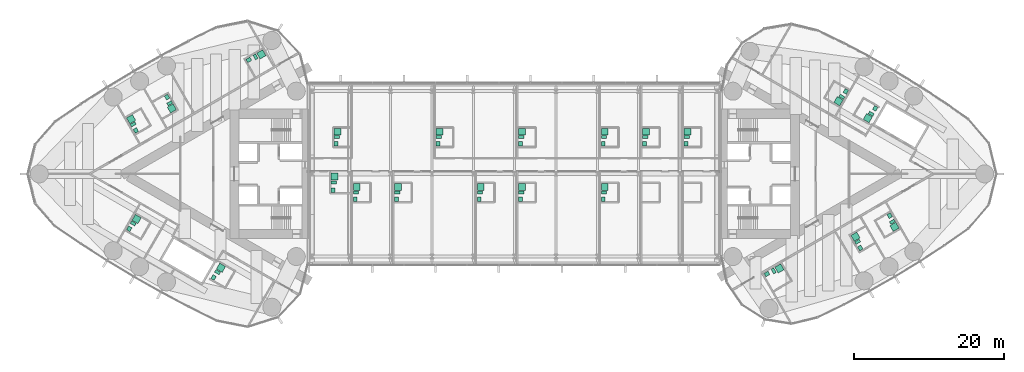
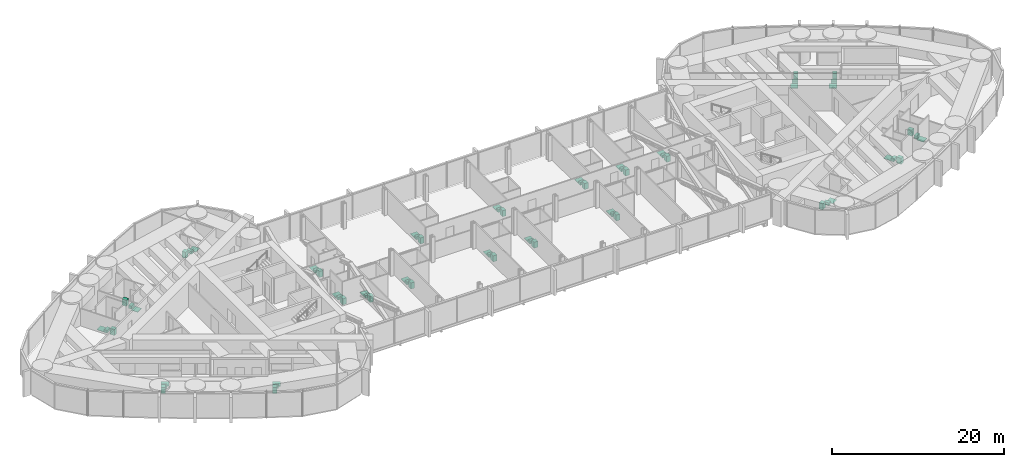
# One storey, part 24 of 24: 28 sanitary terminals.
"""IFC4 building model written with IfcOpenShell, lengths in metres."""

from ifc_helpers import new_model, si_unit, direction, frame, origin, origin_2d, place, context, subcontext, project, spatial, rectangle, extrude, material, type_object, element, save


model = new_model("IFC4")

# Units and contexts
model_context = context("Model", 3, precision=1e-05, world=origin(), true_north=direction((0.0, 1.0)))
body_context = subcontext(model_context, "Body", "Model", "MODEL_VIEW")
ifc_project = project(units=[si_unit("LENGTHUNIT", "METRE"), si_unit("AREAUNIT", "SQUARE_METRE"), si_unit("VOLUMEUNIT", "CUBIC_METRE"), si_unit("PLANEANGLEUNIT", "RADIAN"), si_unit("MASSUNIT", "GRAM", prefix="KILO")], contexts=[model_context])

# Site, building, storey
site_placement = place(None, origin())
site = spatial("IfcSite", under=ifc_project, at=site_placement, CompositionType="ELEMENT")
building_placement = place(site_placement, origin())
building = spatial("IfcBuilding", under=site, at=building_placement, Name="Lancet Gate Hotel", CompositionType="ELEMENT")
storey_placement = place(building_placement, frame((0.0, 0.0, 244.10009765625)))
storey = spatial("IfcBuildingStorey", under=building, at=storey_placement, Name="L65", CompositionType="ELEMENT", Elevation=244.10009765625)

# Sanitary terminals
ifc_material_1 = material(Name="Vitreous china sanitary ware")
sanitary_terminal_type_1 = type_object("IfcSanitaryTerminalType", Name="En-suite sanitary set (shower, WC, basin)", PredefinedType="USERDEFINED", material=ifc_material_1)
sanitary_terminal_1_placement = place(storey_placement, frame((-45.60888671875, 8.717529296875, 0.0), z_axis=(0.0, 0.0, 1.0), x_axis=(1.0, 0.0, 0.0)))
element("IfcSanitaryTerminal", 1, at=sanitary_terminal_1_placement, inside=storey, type_object=sanitary_terminal_type_1, Name="En-suite sanitary set (shower, WC, basin) 6503", ObjectType="EN-SUITE SANITARY SET", PredefinedType="USERDEFINED", context=body_context, shape_type="SweptSolid", body=[
    extrude(rectangle(XDim=0.89990234375, YDim=0.89990234375, at=origin_2d()), frame((0.0, 0.0, 0.0), z_axis=(0.0, 0.0, 1.0), x_axis=(0.5, -0.866025403784, 0.0)), (0.0, 0.0, 1.0), 0.050048828125),
    extrude(rectangle(XDim=0.39990234375, YDim=0.699951171875, at=origin_2d()), frame((-0.2783203125, 0.682373046875, 0.0), z_axis=(0.0, 0.0, 1.0), x_axis=(0.5, -0.866025403784, 0.0)), (0.0, 0.0, 1.0), 0.39990234375),
    extrude(rectangle(XDim=0.60009765625, YDim=0.5, at=origin_2d()), frame((-0.6318359375, 1.494384765625, 0.0), z_axis=(0.0, 0.0, 1.0), x_axis=(0.5, -0.866025403784, 0.0)), (0.0, 0.0, 1.0), 0.85009765625),
])
sanitary_terminal_2_placement = place(storey_placement, frame((-51.022705078125, 7.27783203125, 0.0), z_axis=(0.0, 0.0, 1.0), x_axis=(1.0, 0.0, 0.0)))
element("IfcSanitaryTerminal", 2, at=sanitary_terminal_2_placement, inside=storey, type_object=sanitary_terminal_type_1, Name="En-suite sanitary set (shower, WC, basin) 6504", ObjectType="EN-SUITE SANITARY SET", PredefinedType="USERDEFINED", context=body_context, shape_type="SweptSolid", body=[
    extrude(rectangle(XDim=0.89990234375, YDim=0.89990234375, at=origin_2d()), frame((0.0, 0.0, 0.0), z_axis=(0.0, 0.0, 1.0), x_axis=(-0.5, 0.866025403784, 0.0)), (0.0, 0.0, 1.0), 0.050048828125),
    extrude(rectangle(XDim=0.39990234375, YDim=0.699951171875, at=origin_2d()), frame((0.2783203125, -0.68212890625, 0.0), z_axis=(0.0, 0.0, 1.0), x_axis=(-0.5, 0.866025403784, 0.0)), (0.0, 0.0, 1.0), 0.39990234375),
    extrude(rectangle(XDim=0.60009765625, YDim=0.5, at=origin_2d()), frame((0.631591796875, -1.494384765625, 0.0), z_axis=(0.0, 0.0, 1.0), x_axis=(-0.5, 0.866025403784, 0.0)), (0.0, 0.0, 1.0), 0.85009765625),
])
for number, where, z_axis, x_axis, name in (
    (3, (-50.292724609375, -6.013427734375, 0.0), (0.0, 0.0, 1.0), (1.0, 0.0, 0.0), "En-suite sanitary set (shower, WC, basin) 6507"),
    (4, (-39.07275390625, -12.4912109375, 0.0), (0.0, 0.0, 1.0), (1.0, 0.0, 0.0), "En-suite sanitary set (shower, WC, basin) 6509"),
):
    element("IfcSanitaryTerminal", number, at=place(storey_placement, frame(where, z_axis=z_axis, x_axis=x_axis)), inside=storey, type_object=sanitary_terminal_type_1, Name=name, ObjectType="EN-SUITE SANITARY SET", PredefinedType="USERDEFINED", context=body_context, shape_type="SweptSolid", body=[
        extrude(rectangle(XDim=0.89990234375, YDim=0.89990234375, at=origin_2d()), frame((0.0, 0.0, 0.0), z_axis=(0.0, 0.0, 1.0), x_axis=(0.5, 0.866025403784, 0.0)), (0.0, 0.0, 1.0), 0.050048828125),
        extrude(rectangle(XDim=0.39990234375, YDim=0.699951171875, at=origin_2d()), frame((-0.45166015625, -0.582275390625, 0.0), z_axis=(0.0, 0.0, 1.0), x_axis=(0.5, 0.866025403784, 0.0)), (0.0, 0.0, 1.0), 0.39990234375),
        extrude(rectangle(XDim=0.60009765625, YDim=0.5, at=origin_2d()), frame((-0.978271484375, -1.294189453125, 0.0), z_axis=(0.0, 0.0, 1.0), x_axis=(0.5, 0.866025403784, 0.0)), (0.0, 0.0, 1.0), 0.85009765625),
    ])
sanitary_terminal_3_placement = place(storey_placement, frame((45.358154296875, -8.3623046875, 0.0), z_axis=(0.0, 0.0, 1.0), x_axis=(1.0, 0.0, 0.0)))
element("IfcSanitaryTerminal", 5, at=sanitary_terminal_3_placement, inside=storey, type_object=sanitary_terminal_type_1, Name="En-suite sanitary set (shower, WC, basin) 6553", ObjectType="EN-SUITE SANITARY SET", PredefinedType="USERDEFINED", context=body_context, shape_type="SweptSolid", body=[
    extrude(rectangle(XDim=0.89990234375, YDim=0.89990234375, at=origin_2d()), frame((0.0, 0.0, 0.0), z_axis=(0.0, 0.0, 1.0), x_axis=(-0.5, 0.866025403784, 0.0)), (0.0, 0.0, 1.0), 0.050048828125),
    extrude(rectangle(XDim=0.39990234375, YDim=0.699951171875, at=origin_2d()), frame((0.2783203125, -0.682373046875, 0.0), z_axis=(0.0, 0.0, 1.0), x_axis=(-0.5, 0.866025403784, 0.0)), (0.0, 0.0, 1.0), 0.39990234375),
    extrude(rectangle(XDim=0.60009765625, YDim=0.5, at=origin_2d()), frame((0.6318359375, -1.494384765625, 0.0), z_axis=(0.0, 0.0, 1.0), x_axis=(-0.5, 0.866025403784, 0.0)), (0.0, 0.0, 1.0), 0.85009765625),
])
sanitary_terminal_4_placement = place(storey_placement, frame((50.54150390625, -7.0556640625, 0.0), z_axis=(0.0, 0.0, 1.0), x_axis=(1.0, 0.0, 0.0)))
element("IfcSanitaryTerminal", 6, at=sanitary_terminal_4_placement, inside=storey, type_object=sanitary_terminal_type_1, Name="En-suite sanitary set (shower, WC, basin) 6554", ObjectType="EN-SUITE SANITARY SET", PredefinedType="USERDEFINED", context=body_context, shape_type="SweptSolid", body=[
    extrude(rectangle(XDim=0.89990234375, YDim=0.89990234375, at=origin_2d()), frame((0.0, 0.0, 0.0), z_axis=(0.0, 0.0, 1.0), x_axis=(0.5, -0.866025403784, 0.0)), (0.0, 0.0, 1.0), 0.050048828125),
    extrude(rectangle(XDim=0.39990234375, YDim=0.699951171875, at=origin_2d()), frame((-0.2783203125, 0.682373046875, 0.0), z_axis=(0.0, 0.0, 1.0), x_axis=(0.5, -0.866025403784, 0.0)), (0.0, 0.0, 1.0), 0.39990234375),
    extrude(rectangle(XDim=0.60009765625, YDim=0.5, at=origin_2d()), frame((-0.631591796875, 1.494384765625, 0.0), z_axis=(0.0, 0.0, 1.0), x_axis=(0.5, -0.866025403784, 0.0)), (0.0, 0.0, 1.0), 0.85009765625),
])
sanitary_terminal_5_placement = place(storey_placement, frame((46.996826171875, 7.416259765625, 0.0), z_axis=(0.0, 0.0, 1.0), x_axis=(1.0, 0.0, 0.0)))
element("IfcSanitaryTerminal", 7, at=sanitary_terminal_5_placement, inside=storey, type_object=sanitary_terminal_type_1, Name="En-suite sanitary set (shower, WC, basin) 6558", ObjectType="EN-SUITE SANITARY SET", PredefinedType="USERDEFINED", context=body_context, shape_type="SweptSolid", body=[
    extrude(rectangle(XDim=0.89990234375, YDim=0.89990234375, at=origin_2d()), frame((0.0, 0.0, 0.0), z_axis=(0.0, 0.0, 1.0), x_axis=(-0.5, -0.866025403784, 0.0)), (0.0, 0.0, 1.0), 0.050048828125),
    extrude(rectangle(XDim=0.39990234375, YDim=0.699951171875, at=origin_2d()), frame((0.45166015625, 0.582275390625, 0.0), z_axis=(0.0, 0.0, 1.0), x_axis=(-0.5, -0.866025403784, 0.0)), (0.0, 0.0, 1.0), 0.39990234375),
    extrude(rectangle(XDim=0.60009765625, YDim=0.5, at=origin_2d()), frame((0.978271484375, 1.29443359375, 0.0), z_axis=(0.0, 0.0, 1.0), x_axis=(-0.5, -0.866025403784, 0.0)), (0.0, 0.0, 1.0), 0.85009765625),
])
sanitary_terminal_6_placement = place(storey_placement, frame((43.0859375, 9.67431640625, 0.0), z_axis=(0.0, 0.0, 1.0), x_axis=(1.0, 0.0, 0.0)))
element("IfcSanitaryTerminal", 8, at=sanitary_terminal_6_placement, inside=storey, type_object=sanitary_terminal_type_1, Name="En-suite sanitary set (shower, WC, basin) 6559", ObjectType="EN-SUITE SANITARY SET", PredefinedType="USERDEFINED", context=body_context, shape_type="SweptSolid", body=[
    extrude(rectangle(XDim=0.89990234375, YDim=0.89990234375, at=origin_2d()), frame((0.0, 0.0, 0.0), z_axis=(0.0, 0.0, 1.0), x_axis=(-0.5, -0.866025403784, 0.0)), (0.0, 0.0, 1.0), 0.050048828125),
    extrude(rectangle(XDim=0.39990234375, YDim=0.699951171875, at=origin_2d()), frame((0.45166015625, 0.58203125, 0.0), z_axis=(0.0, 0.0, 1.0), x_axis=(-0.5, -0.866025403784, 0.0)), (0.0, 0.0, 1.0), 0.39990234375),
    extrude(rectangle(XDim=0.60009765625, YDim=0.5, at=origin_2d()), frame((0.978271484375, 1.294189453125, 0.0), z_axis=(0.0, 0.0, 1.0), x_axis=(-0.5, -0.866025403784, 0.0)), (0.0, 0.0, 1.0), 0.85009765625),
])
for number, where, z_axis, x_axis, name in (
    (9, (-21.0048828125, -1.7451171875, 0.0), (0.0, 0.0, 1.0), (1.0, 0.0, 0.0), "En-suite sanitary set (shower, WC, basin) B6502"),
    (10, (-15.5048828125, -1.7451171875, 0.0), (0.0, 0.0, 1.0), (1.0, 0.0, 0.0), "En-suite sanitary set (shower, WC, basin) B6503"),
    (11, (-4.5048828125, -1.7451171875, 0.0), (0.0, 0.0, 1.0), (1.0, 0.0, 0.0), "En-suite sanitary set (shower, WC, basin) B6505"),
    (12, (0.9951171875, -1.7451171875, 0.0), (0.0, 0.0, 1.0), (1.0, 0.0, 0.0), "En-suite sanitary set (shower, WC, basin) B6506"),
    (13, (11.9951171875, -1.7451171875, 0.0), (0.0, 0.0, 1.0), (1.0, 0.0, 0.0), "En-suite sanitary set (shower, WC, basin) B6508"),
):
    element("IfcSanitaryTerminal", number, at=place(storey_placement, frame(where, z_axis=z_axis, x_axis=x_axis)), inside=storey, type_object=sanitary_terminal_type_1, Name=name, ObjectType="EN-SUITE SANITARY SET", PredefinedType="USERDEFINED", context=body_context, shape_type="SweptSolid", body=[
        extrude(rectangle(XDim=0.89990234375, YDim=0.89990234375, at=origin_2d()), frame((0.0, 0.0, 0.0), z_axis=(0.0, 0.0, 1.0), x_axis=(0.0, 1.0, 0.0)), (0.0, 0.0, 1.0), 0.050048828125),
        extrude(rectangle(XDim=0.39990234375, YDim=0.699951171875, at=origin_2d()), frame((-0.10009765625, -0.72998046875, 0.0), z_axis=(0.0, 0.0, 1.0), x_axis=(0.0, 1.0, 0.0)), (0.0, 0.0, 1.0), 0.39990234375),
        extrude(rectangle(XDim=0.60009765625, YDim=0.5, at=origin_2d()), frame((-0.2001953125, -1.60986328125, 0.0), z_axis=(0.0, 0.0, 1.0), x_axis=(0.0, 1.0, 0.0)), (0.0, 0.0, 1.0), 0.85009765625),
    ])
sanitary_terminal_7_placement = place(storey_placement, frame((-23.554931640625, 5.60498046875, 0.0), z_axis=(0.0, 0.0, 1.0), x_axis=(1.0, 0.0, 0.0)))
element("IfcSanitaryTerminal", 14, at=sanitary_terminal_7_placement, inside=storey, type_object=sanitary_terminal_type_1, Name="En-suite sanitary set (shower, WC, basin) B6511", ObjectType="EN-SUITE SANITARY SET", PredefinedType="USERDEFINED", context=body_context, shape_type="SweptSolid", body=[
    extrude(rectangle(XDim=0.89990234375, YDim=0.89990234375, at=origin_2d()), frame((0.0, 0.0, 0.0), z_axis=(0.0, 0.0, 1.0), x_axis=(0.0, 1.0, 0.0)), (0.0, 0.0, 1.0), 0.050048828125),
    extrude(rectangle(XDim=0.39990234375, YDim=0.699951171875, at=origin_2d()), frame((-0.10009765625, -0.72998046875, 0.0), z_axis=(0.0, 0.0, 1.0), x_axis=(0.0, 1.0, 0.0)), (0.0, 0.0, 1.0), 0.39990234375),
    extrude(rectangle(XDim=0.60009765625, YDim=0.5, at=origin_2d()), frame((-0.199951171875, -1.60986328125, 0.0), z_axis=(0.0, 0.0, 1.0), x_axis=(0.0, 1.0, 0.0)), (0.0, 0.0, 1.0), 0.85009765625),
])
for number, where, z_axis, x_axis, name in (
    (15, (-10.0048828125, 5.60498046875, 0.0), (0.0, 0.0, 1.0), (1.0, 0.0, 0.0), "En-suite sanitary set (shower, WC, basin) B6514"),
    (16, (0.9951171875, 5.60498046875, 0.0), (0.0, 0.0, 1.0), (1.0, 0.0, 0.0), "En-suite sanitary set (shower, WC, basin) B6516"),
    (17, (11.9951171875, 5.60498046875, 0.0), (0.0, 0.0, 1.0), (1.0, 0.0, 0.0), "En-suite sanitary set (shower, WC, basin) B6518"),
    (18, (17.4951171875, 5.60498046875, 0.0), (0.0, 0.0, 1.0), (1.0, 0.0, 0.0), "En-suite sanitary set (shower, WC, basin) B6519"),
    (19, (22.9951171875, 5.60498046875, 0.0), (0.0, 0.0, 1.0), (1.0, 0.0, 0.0), "En-suite sanitary set (shower, WC, basin) B6520"),
):
    element("IfcSanitaryTerminal", number, at=place(storey_placement, frame(where, z_axis=z_axis, x_axis=x_axis)), inside=storey, type_object=sanitary_terminal_type_1, Name=name, ObjectType="EN-SUITE SANITARY SET", PredefinedType="USERDEFINED", context=body_context, shape_type="SweptSolid", body=[
        extrude(rectangle(XDim=0.89990234375, YDim=0.89990234375, at=origin_2d()), frame((0.0, 0.0, 0.0), z_axis=(0.0, 0.0, 1.0), x_axis=(0.0, 1.0, 0.0)), (0.0, 0.0, 1.0), 0.050048828125),
        extrude(rectangle(XDim=0.39990234375, YDim=0.699951171875, at=origin_2d()), frame((-0.10009765625, -0.72998046875, 0.0), z_axis=(0.0, 0.0, 1.0), x_axis=(0.0, 1.0, 0.0)), (0.0, 0.0, 1.0), 0.39990234375),
        extrude(rectangle(XDim=0.60009765625, YDim=0.5, at=origin_2d()), frame((-0.2001953125, -1.60986328125, 0.0), z_axis=(0.0, 0.0, 1.0), x_axis=(0.0, 1.0, 0.0)), (0.0, 0.0, 1.0), 0.85009765625),
    ])
ifc_material_2 = material(Name="Stone resin shower tray", Category="masonry")
sanitary_terminal_type_2 = type_object("IfcSanitaryTerminalType", Name="Shower tray 900", PredefinedType="SHOWER", material=ifc_material_2)
for number, where, z_axis, x_axis, name in (
    (20, (-33.6953125, 15.896240234375, 0.0), (0.0, 0.0, 1.0), (0.866025403784, 0.5, 0.0), "Shower tray 900 6502"),
    (21, (35.2412109375, -12.5869140625, 0.0), (0.0, 0.0, 1.0), (0.866025403784, 0.5, 0.0), "Shower tray 900 6552"),
    (22, (-23.955078125, -0.344970703125, 0.0), (0.0, 0.0, 1.0), (0.0, 1.0, 0.0), "Shower tray 900 B6501"),
):
    element("IfcSanitaryTerminal", number, at=place(storey_placement, frame(where, z_axis=z_axis, x_axis=x_axis)), inside=storey, type_object=sanitary_terminal_type_2, Name=name, PredefinedType="SHOWER", context=body_context, shape_type="SweptSolid", body=[
        extrude(rectangle(XDim=0.89990234375, YDim=0.89990234375, at=origin_2d()), origin(), (0.0, 0.0, 1.0), 0.050048828125),
    ])
ifc_material_3 = material(Name="Vitreous china sanitary ware")
sanitary_terminal_type_3 = type_object("IfcSanitaryTerminalType", Name="Vanity basin 600", PredefinedType="WASHHANDBASIN", material=ifc_material_3)
for number, where, z_axis, x_axis, name in (
    (23, (-35.36279296875, 15.164306640625, -0.000244140625), (0.0, 0.0, 1.0), (0.866025403784, 0.5, 0.0), "Vanity basin 600 6502"),
    (24, (33.57373046875, -13.318603515625, -0.000244140625), (0.0, 0.0, 1.0), (0.866025403784, 0.5, 0.0), "Vanity basin 600 6552"),
    (25, (-24.155029296875, -2.155029296875, -0.000244140625), (0.0, 0.0, 1.0), (0.0, 1.0, 0.0), "Vanity basin 600 B6501"),
):
    element("IfcSanitaryTerminal", number, at=place(storey_placement, frame(where, z_axis=z_axis, x_axis=x_axis)), inside=storey, type_object=sanitary_terminal_type_3, Name=name, PredefinedType="WASHHANDBASIN", context=body_context, shape_type="SweptSolid", body=[
        extrude(rectangle(XDim=0.60009765625, YDim=0.5, at=origin_2d()), origin(), (0.0, 0.0, 1.0), 0.85009765625),
    ])
ifc_material_4 = material(Name="Vitreous china sanitary ware")
sanitary_terminal_type_4 = type_object("IfcSanitaryTerminalType", Name="WC pan wall hung", PredefinedType="TOILETPAN", material=ifc_material_4)
for number, where, z_axis, x_axis, name in (
    (26, (-34.464111328125, 15.56787109375, 0.0), (0.0, 0.0, 1.0), (0.866025403784, 0.5, 0.0), "WC pan wall hung 6502"),
    (27, (34.472412109375, -12.915283203125, 0.0), (0.0, 0.0, 1.0), (0.866025403784, 0.5, 0.0), "WC pan wall hung 6552"),
    (28, (-24.054931640625, -1.175048828125, 0.0), (0.0, 0.0, 1.0), (0.0, 1.0, 0.0), "WC pan wall hung B6501"),
):
    element("IfcSanitaryTerminal", number, at=place(storey_placement, frame(where, z_axis=z_axis, x_axis=x_axis)), inside=storey, type_object=sanitary_terminal_type_4, Name=name, PredefinedType="TOILETPAN", context=body_context, shape_type="SweptSolid", body=[
        extrude(rectangle(XDim=0.39990234375, YDim=0.699951171875, at=origin_2d()), origin(), (0.0, 0.0, 1.0), 0.39990234375),
    ])

save(model, "model.ifc")
